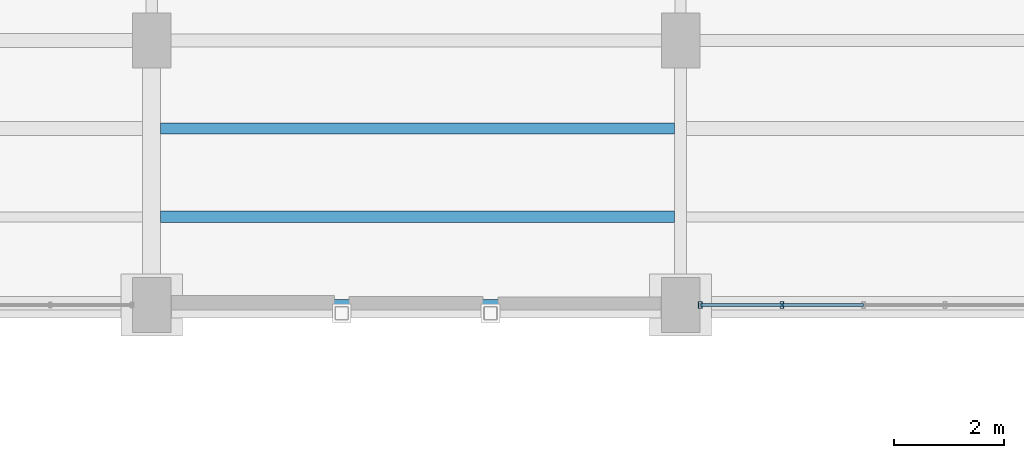
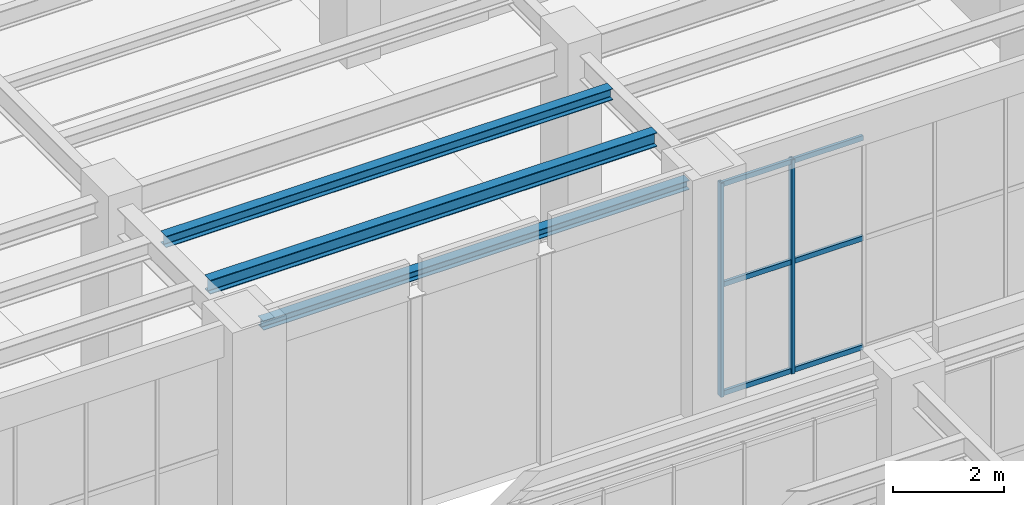
# One storey, part 98 of 164: 8 members, 3 beams, 1 element without a shape of its own.
"""IFC4 building model written with IfcOpenShell, lengths in metres."""

from ifc_helpers import new_model, si_unit, direction, frame, origin, origin_2d, place, context, subcontext, project, spatial, hollow_rectangle, i_section, extrude, material, material_profile, profile_set, type_object, element, aggregate, save


model = new_model("IFC4")

# Units and contexts
model_context = context("Model", 3, precision=1e-05, world=origin(), true_north=direction((0.0, 1.0)))
body_context = subcontext(model_context, "Body", "Model", "MODEL_VIEW")
ifc_project = project(units=[si_unit("LENGTHUNIT", "METRE"), si_unit("AREAUNIT", "SQUARE_METRE"), si_unit("VOLUMEUNIT", "CUBIC_METRE"), si_unit("PLANEANGLEUNIT", "RADIAN"), si_unit("MASSUNIT", "GRAM", prefix="KILO")], contexts=[model_context])

# Site, building, storey
site_placement = place(None, origin())
site = spatial("IfcSite", under=ifc_project, at=site_placement, CompositionType="ELEMENT")
building_placement = place(site_placement, origin())
building = spatial("IfcBuilding", under=site, at=building_placement, Name="Mavantir Sound Aquarium", CompositionType="ELEMENT")
storey_placement = place(building_placement, origin())
storey = spatial("IfcBuildingStorey", under=building, at=storey_placement, Name="L00", CompositionType="ELEMENT", Elevation=0.0)

# Beams
ifc_material_1 = material(Name="Structural Steel ASTM A992 Gr50", Category="steel")
ifc_material_profile_1 = material_profile(ifc_material_1, i_section(OverallWidth=0.202880859375, OverallDepth=0.202880859375, WebThickness=0.007080078125, FlangeThickness=0.010986328125, FilletRadius=0.010009765625, at=origin_2d()), Name="W200X46")
ifc_profile_set_1 = profile_set([ifc_material_profile_1], Name="Structural Steel ASTM A992 Gr50")
beam_type_1 = type_object("IfcBeamType", Name="BM-W200X46-E", PredefinedType="LINTEL", material=ifc_profile_set_1)
beam_1_placement = place(storey_placement, frame((127.550048828125, 36.0, 4.964599609375), z_axis=(1.0, 0.0, 0.0), x_axis=(0.0, 1.0, 0.0)))
element("IfcBeam", 1, at=beam_1_placement, inside=storey, type_object=beam_type_1, Name="L00 primary beam SL-20 926", PredefinedType="LINTEL", context=body_context, shape_type="SweptSolid", body=[
    extrude(i_section(OverallWidth=0.202880859375, OverallDepth=0.202880859375, WebThickness=0.007080078125, FlangeThickness=0.010986328125, FilletRadius=0.010009765625, at=origin_2d()), origin(), (0.0, 0.0, 1.0), 8.89990234375),
])
ifc_material_profile_2 = material_profile(ifc_material_1, i_section(OverallWidth=0.202880859375, OverallDepth=0.251953125, WebThickness=0.008056640625, FlangeThickness=0.013427734375, FilletRadius=0.011962890625, at=origin_2d()), Name="W250X58")
ifc_profile_set_2 = profile_set([ifc_material_profile_2], Name="Structural Steel ASTM A992 Gr50")
beam_type_2 = type_object("IfcBeamType", Name="BM-W250X58-I", PredefinedType="JOIST", material=ifc_profile_set_2)
beam_2_placement = place(storey_placement, frame((127.362060546875, 39.199951171875, 4.93994140625), z_axis=(1.0, 0.0, 0.0), x_axis=(0.0, 1.0, 0.0)))
element("IfcBeam", 2, at=beam_2_placement, inside=storey, type_object=beam_type_2, Name="L00 secondary floor joist SJ-25 512", PredefinedType="JOIST", context=body_context, shape_type="SweptSolid", body=[
    extrude(i_section(OverallWidth=0.202880859375, OverallDepth=0.251953125, WebThickness=0.008056640625, FlangeThickness=0.013427734375, FilletRadius=0.011962890625, at=origin_2d()), origin(), (0.0, 0.0, 1.0), 9.33203125),
])
ifc_material_profile_3 = material_profile(ifc_material_1, i_section(OverallWidth=0.205078125, OverallDepth=0.31005859375, WebThickness=0.009521484375, FlangeThickness=0.016357421875, FilletRadius=0.012939453125, at=origin_2d()), Name="W310X74")
ifc_profile_set_3 = profile_set([ifc_material_profile_3], Name="Structural Steel ASTM A992 Gr50")
beam_type_3 = type_object("IfcBeamType", Name="BM-W310X74-I", PredefinedType="JOIST", material=ifc_profile_set_3)
beam_3_placement = place(storey_placement, frame((127.362060546875, 37.60009765625, 4.910888671875), z_axis=(1.0, 0.0, 0.0), x_axis=(0.0, 1.0, 0.0)))
element("IfcBeam", 3, at=beam_3_placement, inside=storey, type_object=beam_type_3, Name="L00 secondary floor joist SJ-31 511", PredefinedType="JOIST", context=body_context, shape_type="SweptSolid", body=[
    extrude(i_section(OverallWidth=0.205078125, OverallDepth=0.31005859375, WebThickness=0.009521484375, FlangeThickness=0.016357421875, FilletRadius=0.012939453125, at=origin_2d()), origin(), (0.0, 0.0, 1.0), 9.33203125),
])

# Curtain wall, members
ifc_material_2 = material(Name="Anodised Marine Aluminium and Low-E Glass", Category="aluminium")
curtain_wall_type = type_object("IfcCurtainWallType", Name="CW-T22", PredefinedType="USERDEFINED", material=ifc_material_2)
curtain_wall_placement = place(storey_placement, origin())
curtain_wall = element("IfcCurtainWall", 4, at=curtain_wall_placement, inside=storey, type_object=curtain_wall_type, Name="L00 unitised curtain wall CW-22 22", ObjectType="UNITISED GLAZING", PredefinedType="USERDEFINED")
ifc_material_3 = material(Name="Anodised Marine Aluminium 6063-T6", Category="aluminium")
ifc_material_profile_4 = material_profile(ifc_material_3, hollow_rectangle(XDim=0.06494140625, YDim=0.1201171875, WallThickness=0.00390625, at=origin_2d()), Name="ALU-MULLION-120X65")
ifc_profile_set_4 = profile_set([ifc_material_profile_4], Name="Anodised Marine Aluminium 6063-T6")
member_type_1 = type_object("IfcMemberType", Name="CW-MUL-120", PredefinedType="MULLION", material=ifc_profile_set_4)
member_1_placement = place(storey_placement, frame((137.157958984375, 36.0, 0.0), z_axis=(0.0, 0.0, 1.0), x_axis=(1.0, 0.0, 0.0)))
member_1 = element("IfcMember", 5, at=member_1_placement, type_object=member_type_1, Name="CW-L00-022 vertical mullion 1", PredefinedType="MULLION", context=body_context, shape_type="SweptSolid", body=[
    extrude(hollow_rectangle(XDim=0.06494140625, YDim=0.1201171875, WallThickness=0.00390625, at=origin_2d()), origin(), (0.0, 0.0, 1.0), 4.72802734375),
])
member_2_placement = place(storey_placement, frame((138.638671875, 36.0, 0.0), z_axis=(0.0, 0.0, 1.0), x_axis=(1.0, 0.0, 0.0)))
member_2 = element("IfcMember", 6, at=member_2_placement, type_object=member_type_1, Name="CW-L00-022 vertical mullion 2", PredefinedType="MULLION", context=body_context, shape_type="SweptSolid", body=[
    extrude(hollow_rectangle(XDim=0.06494140625, YDim=0.1201171875, WallThickness=0.00390625, at=origin_2d()), origin(), (0.0, 0.0, 1.0), 4.72802734375),
])
ifc_material_profile_5 = material_profile(ifc_material_3, hollow_rectangle(XDim=0.06005859375, YDim=0.110107421875, WallThickness=0.00390625, at=origin_2d()), Name="ALU-TRANSOM-110X60")
ifc_profile_set_5 = profile_set([ifc_material_profile_5], Name="Anodised Marine Aluminium 6063-T6")
member_type_2 = type_object("IfcMemberType", Name="CW-TRN-110", PredefinedType="USERDEFINED", material=ifc_profile_set_5)
member_3_placement = place(storey_placement, frame((137.157958984375, 36.0, 0.054931640625), z_axis=(1.0, 0.0, 0.0), x_axis=(0.0, 1.0, 0.0)))
member_3 = element("IfcMember", 7, at=member_3_placement, type_object=member_type_2, Name="CW-L00-022 transom 1.1", ObjectType="TRANSOM", PredefinedType="USERDEFINED", context=body_context, shape_type="SweptSolid", body=[
    extrude(hollow_rectangle(XDim=0.06005859375, YDim=0.110107421875, WallThickness=0.00390625, at=origin_2d()), origin(), (0.0, 0.0, 1.0), 1.480712890625),
])
member_4_placement = place(storey_placement, frame((137.157958984375, 36.0, 2.45849609375), z_axis=(1.0, 0.0, 0.0), x_axis=(0.0, 1.0, 0.0)))
member_4 = element("IfcMember", 8, at=member_4_placement, type_object=member_type_2, Name="CW-L00-022 transom 1.2", ObjectType="TRANSOM", PredefinedType="USERDEFINED", context=body_context, shape_type="SweptSolid", body=[
    extrude(hollow_rectangle(XDim=0.06005859375, YDim=0.110107421875, WallThickness=0.00390625, at=origin_2d()), origin(), (0.0, 0.0, 1.0), 1.480712890625),
])
member_5_placement = place(storey_placement, frame((137.157958984375, 36.0, 4.673095703125), z_axis=(1.0, 0.0, 0.0), x_axis=(0.0, 1.0, 0.0)))
member_5 = element("IfcMember", 9, at=member_5_placement, type_object=member_type_2, Name="CW-L00-022 transom 1.3", ObjectType="TRANSOM", PredefinedType="USERDEFINED", context=body_context, shape_type="SweptSolid", body=[
    extrude(hollow_rectangle(XDim=0.06005859375, YDim=0.110107421875, WallThickness=0.00390625, at=origin_2d()), origin(), (0.0, 0.0, 1.0), 1.480712890625),
])
member_6_placement = place(storey_placement, frame((138.638671875, 36.0, 0.054931640625), z_axis=(1.0, 0.0, 0.0), x_axis=(0.0, 1.0, 0.0)))
member_6 = element("IfcMember", 10, at=member_6_placement, type_object=member_type_2, Name="CW-L00-022 transom 2.1", ObjectType="TRANSOM", PredefinedType="USERDEFINED", context=body_context, shape_type="SweptSolid", body=[
    extrude(hollow_rectangle(XDim=0.06005859375, YDim=0.110107421875, WallThickness=0.00390625, at=origin_2d()), origin(), (0.0, 0.0, 1.0), 1.480712890625),
])
member_7_placement = place(storey_placement, frame((138.638671875, 36.0, 2.45849609375), z_axis=(1.0, 0.0, 0.0), x_axis=(0.0, 1.0, 0.0)))
member_7 = element("IfcMember", 11, at=member_7_placement, type_object=member_type_2, Name="CW-L00-022 transom 2.2", ObjectType="TRANSOM", PredefinedType="USERDEFINED", context=body_context, shape_type="SweptSolid", body=[
    extrude(hollow_rectangle(XDim=0.06005859375, YDim=0.110107421875, WallThickness=0.00390625, at=origin_2d()), origin(), (0.0, 0.0, 1.0), 1.480712890625),
])
member_8_placement = place(storey_placement, frame((138.638671875, 36.0, 4.673095703125), z_axis=(1.0, 0.0, 0.0), x_axis=(0.0, 1.0, 0.0)))
member_8 = element("IfcMember", 12, at=member_8_placement, type_object=member_type_2, Name="CW-L00-022 transom 2.3", ObjectType="TRANSOM", PredefinedType="USERDEFINED", context=body_context, shape_type="SweptSolid", body=[
    extrude(hollow_rectangle(XDim=0.06005859375, YDim=0.110107421875, WallThickness=0.00390625, at=origin_2d()), origin(), (0.0, 0.0, 1.0), 1.480712890625),
])
aggregate(curtain_wall, [member_1, member_2, member_3, member_4, member_5, member_6, member_7, member_8])

save(model, "model.ifc")
